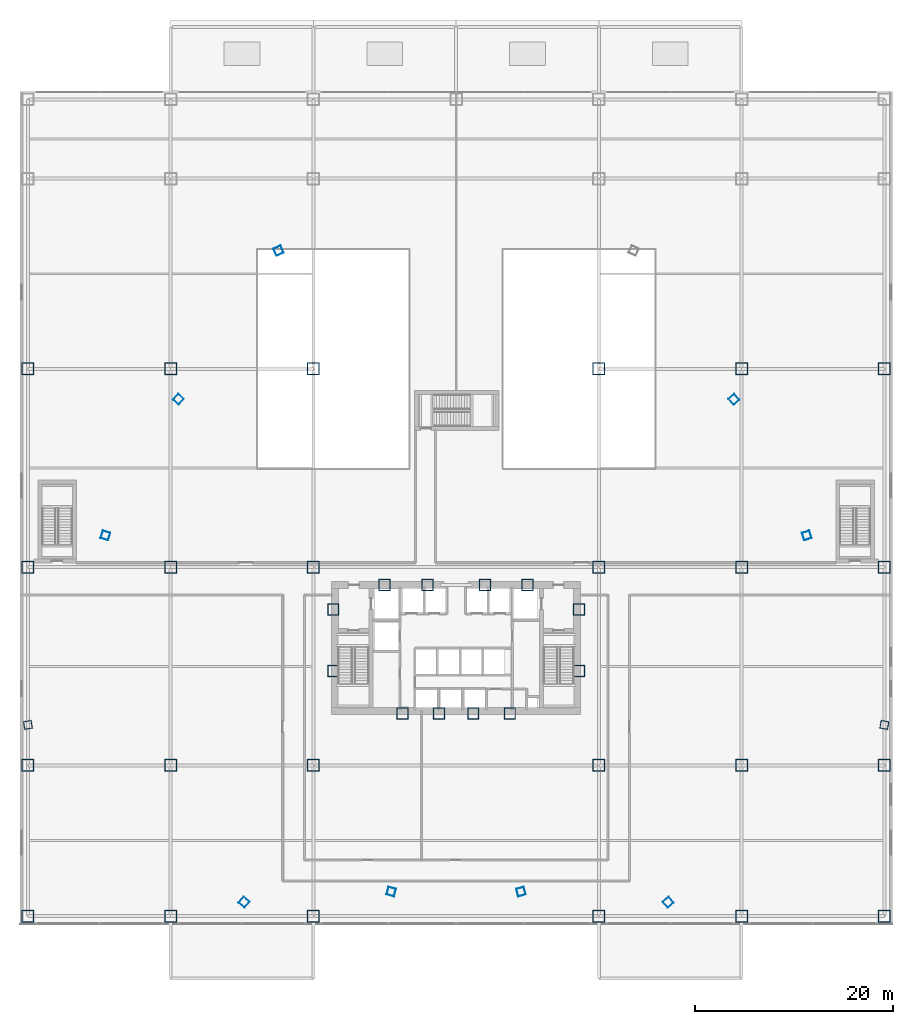
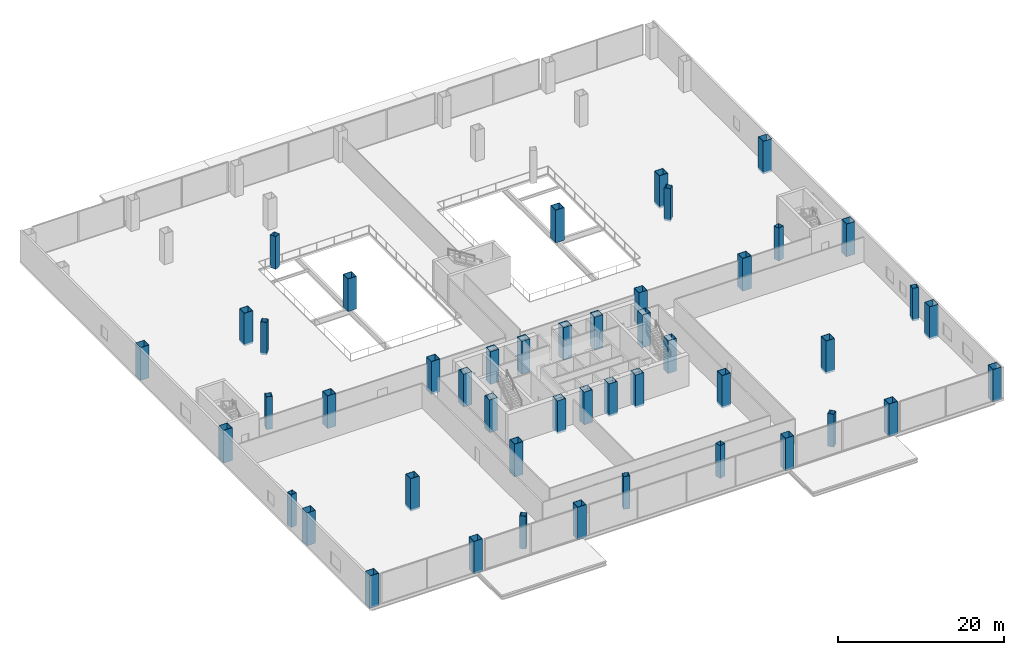
# One storey, part 1 of 42: 47 columns.
"""IFC4 building model written with IfcOpenShell, lengths in metres."""

from ifc_helpers import new_model, si_unit, direction, frame, origin, origin_2d, place, context, subcontext, project, spatial, hollow_rectangle, extrude, source, transform, mapped, material, material_profile, profile_set, type_object, element, save


model = new_model("IFC4")

# Units and contexts
model_context = context("Model", 3, precision=1e-05, world=origin(), true_north=direction((0.0, 1.0)))
body_context = subcontext(model_context, "Body", "Model", "MODEL_VIEW")
ifc_project = project(units=[si_unit("LENGTHUNIT", "METRE"), si_unit("AREAUNIT", "SQUARE_METRE"), si_unit("VOLUMEUNIT", "CUBIC_METRE"), si_unit("PLANEANGLEUNIT", "RADIAN"), si_unit("MASSUNIT", "GRAM", prefix="KILO"), si_unit("THERMODYNAMICTEMPERATUREUNIT", "KELVIN"), si_unit("POWERUNIT", "WATT")], contexts=[model_context])

# Site, building, storey
site_placement = place(None, origin())
site = spatial("IfcSite", under=ifc_project, at=site_placement, CompositionType="ELEMENT")
building_placement = place(site_placement, origin())
building = spatial("IfcBuilding", under=site, at=building_placement, Name="Yunzhuo Pagoda Commons", CompositionType="ELEMENT")
storey_placement = place(building_placement, frame((0.0, 0.0, 4.800048828125)))
storey = spatial("IfcBuildingStorey", under=building, at=storey_placement, Name="L02", CompositionType="ELEMENT", Elevation=4.800048828125)

# Columns
ifc_material = material(Name="Structural steel Q420B", Category="steel")
ifc_material_profile_1 = material_profile(ifc_material, hollow_rectangle(XDim=1.14990234375, YDim=1.14990234375, WallThickness=0.048095703125, at=origin_2d()), Name="Structural steel Q420B")
ifc_profile_set_1 = profile_set([ifc_material_profile_1], Name="Structural steel Q420B")
column_type_1 = type_object("IfcColumnType", Name="C-COR Column BOX 1150x1150x48", PredefinedType="COLUMN", material=ifc_profile_set_1)
shared_shape_1 = source(origin(), body_context, "Body", "SweptSolid", [
    extrude(hollow_rectangle(XDim=1.14990234375, YDim=1.14990234375, WallThickness=0.048095703125, at=origin_2d()), origin(), (0.0, 0.0, 1.0), 4.7998046875),
])
for number, where, z_axis, x_axis, name in (
    (1, (42.587890625, 27.25, -0.27978515625), (0.0, 0.0, 1.0), (1.0, 0.0, 0.0), "L02 core composite column F1C1"),
    (2, (46.27197265625, 27.25, -0.27978515625), (0.0, 0.0, 1.0), (1.0, 0.0, 0.0), "L02 core composite column F1C2"),
    (3, (49.728515625, 27.25, -0.27978515625), (0.0, 0.0, 1.0), (1.0, 0.0, 0.0), "L02 core composite column F1C3"),
    (4, (53.412109375, 27.25, -0.27978515625), (0.0, 0.0, 1.0), (1.0, 0.0, 0.0), "L02 core composite column F1C4"),
    (5, (60.39990234375, 31.513427734375, -0.27978515625), (0.0, 0.0, 1.0), (1.0, 0.0, 0.0), "L02 core composite column F2C1"),
    (6, (60.39990234375, 37.72900390625, -0.27978515625), (0.0, 0.0, 1.0), (1.0, 0.0, 0.0), "L02 core composite column F2C2"),
    (7, (55.218994140625, 40.199951171875, -0.27978515625), (0.0, 0.0, 1.0), (1.0, 0.0, 0.0), "L02 core composite column F2C3"),
    (8, (50.89404296875, 40.199951171875, -0.27978515625), (0.0, 0.0, 1.0), (1.0, 0.0, 0.0), "L02 core composite column F2C4"),
    (9, (45.10595703125, 40.199951171875, -0.27978515625), (0.0, 0.0, 1.0), (1.0, 0.0, 0.0), "L02 core composite column F3C1"),
    (10, (40.781005859375, 40.199951171875, -0.27978515625), (0.0, 0.0, 1.0), (1.0, 0.0, 0.0), "L02 core composite column F3C2"),
    (11, (35.60009765625, 37.72900390625, -0.27978515625), (0.0, 0.0, 1.0), (1.0, 0.0, 0.0), "L02 core composite column F3C3"),
    (12, (35.60009765625, 31.513427734375, -0.27978515625), (0.0, 0.0, 1.0), (1.0, 0.0, 0.0), "L02 core composite column F3C4"),
):
    element("IfcColumn", number, at=place(storey_placement, frame(where, z_axis=z_axis, x_axis=x_axis)), inside=storey, type_object=column_type_1, Name=name, PredefinedType="COLUMN", context=body_context, shape_type="MappedRepresentation", body=[
        mapped(shared_shape_1, transform((0.0, 0.0, 0.0), scale=1.0)),
    ])
ifc_material_profile_2 = material_profile(ifc_material, hollow_rectangle(XDim=1.199951171875, YDim=1.199951171875, WallThickness=0.050048828125, at=origin_2d()), Name="Structural steel Q420B")
ifc_profile_set_2 = profile_set([ifc_material_profile_2], Name="Structural steel Q420B")
column_type_2 = type_object("IfcColumnType", Name="C-POD Column BOX 1200x1200x50", PredefinedType="COLUMN", material=ifc_profile_set_2)
shared_shape_2 = source(origin(), body_context, "Body", "SweptSolid", [
    extrude(hollow_rectangle(XDim=1.199951171875, YDim=1.199951171875, WallThickness=0.050048828125, at=origin_2d()), origin(), (0.0, 0.0, 1.0), 4.7998046875),
])
for number, where, z_axis, x_axis, name in (
    (13, (4.800048828125, 6.800048828125, -0.27978515625), (0.0, 0.0, 1.0), (1.0, 0.0, 0.0), "L02 podium column P1_1"),
    (14, (4.800048828125, 22.0, -0.27978515625), (0.0, 0.0, 1.0), (1.0, 0.0, 0.0), "L02 podium column P1_2"),
    (15, (4.800048828125, 42.0, -0.27978515625), (0.0, 0.0, 1.0), (1.0, 0.0, 0.0), "L02 podium column P1_3"),
    (16, (4.800048828125, 62.0, -0.27978515625), (0.0, 0.0, 1.0), (1.0, 0.0, 0.0), "L02 podium column P1_4"),
    (17, (19.199951171875, 6.800048828125, -0.27978515625), (0.0, 0.0, 1.0), (1.0, 0.0, 0.0), "L02 podium column P2_1"),
    (18, (19.199951171875, 22.0, -0.27978515625), (0.0, 0.0, 1.0), (1.0, 0.0, 0.0), "L02 podium column P2_2"),
    (19, (19.199951171875, 42.0, -0.27978515625), (0.0, 0.0, 1.0), (1.0, 0.0, 0.0), "L02 podium column P2_3"),
    (20, (19.199951171875, 62.0, -0.27978515625), (0.0, 0.0, 1.0), (1.0, 0.0, 0.0), "L02 podium column P2_4"),
    (21, (33.60009765625, 6.800048828125, -0.27978515625), (0.0, 0.0, 1.0), (1.0, 0.0, 0.0), "L02 podium column P3_1"),
    (22, (33.60009765625, 22.0, -0.27978515625), (0.0, 0.0, 1.0), (1.0, 0.0, 0.0), "L02 podium column P3_2"),
    (23, (33.60009765625, 42.0, -0.27978515625), (0.0, 0.0, 1.0), (1.0, 0.0, 0.0), "L02 podium column P3_3"),
    (24, (33.60009765625, 62.0, -0.27978515625), (0.0, 0.0, 1.0), (1.0, 0.0, 0.0), "L02 podium column P3_4"),
    (25, (62.39990234375, 6.800048828125, -0.27978515625), (0.0, 0.0, 1.0), (1.0, 0.0, 0.0), "L02 podium column P4_1"),
    (26, (62.39990234375, 22.0, -0.27978515625), (0.0, 0.0, 1.0), (1.0, 0.0, 0.0), "L02 podium column P4_2"),
    (27, (62.39990234375, 42.0, -0.27978515625), (0.0, 0.0, 1.0), (1.0, 0.0, 0.0), "L02 podium column P4_3"),
    (28, (62.39990234375, 62.0, -0.27978515625), (0.0, 0.0, 1.0), (1.0, 0.0, 0.0), "L02 podium column P4_4"),
    (29, (76.800048828125, 6.800048828125, -0.27978515625), (0.0, 0.0, 1.0), (1.0, 0.0, 0.0), "L02 podium column P5_1"),
    (30, (76.800048828125, 22.0, -0.27978515625), (0.0, 0.0, 1.0), (1.0, 0.0, 0.0), "L02 podium column P5_2"),
    (31, (76.800048828125, 42.0, -0.27978515625), (0.0, 0.0, 1.0), (1.0, 0.0, 0.0), "L02 podium column P5_3"),
    (32, (76.800048828125, 62.0, -0.27978515625), (0.0, 0.0, 1.0), (1.0, 0.0, 0.0), "L02 podium column P5_4"),
    (33, (91.199951171875, 6.800048828125, -0.27978515625), (0.0, 0.0, 1.0), (1.0, 0.0, 0.0), "L02 podium column P6_1"),
    (34, (91.199951171875, 22.0, -0.27978515625), (0.0, 0.0, 1.0), (1.0, 0.0, 0.0), "L02 podium column P6_2"),
    (35, (91.199951171875, 42.0, -0.27978515625), (0.0, 0.0, 1.0), (1.0, 0.0, 0.0), "L02 podium column P6_3"),
    (36, (91.199951171875, 62.0, -0.27978515625), (0.0, 0.0, 1.0), (1.0, 0.0, 0.0), "L02 podium column P6_4"),
):
    element("IfcColumn", number, at=place(storey_placement, frame(where, z_axis=z_axis, x_axis=x_axis)), inside=storey, type_object=column_type_2, Name=name, PredefinedType="COLUMN", context=body_context, shape_type="MappedRepresentation", body=[
        mapped(shared_shape_2, transform((0.0, 0.0, 0.0), scale=1.0)),
    ])
ifc_material_profile_3 = material_profile(ifc_material, hollow_rectangle(XDim=0.800048828125, YDim=0.800048828125, WallThickness=0.031982421875, at=origin_2d()), Name="Structural steel Q420B")
ifc_profile_set_3 = profile_set([ifc_material_profile_3], Name="Structural steel Q420B")
column_type_3 = type_object("IfcColumnType", Name="C-BUT Column BOX 800x800x32", PredefinedType="COLUMN", material=ifc_profile_set_3)
shared_shape_3 = source(origin(), body_context, "Body", "SweptSolid", [
    extrude(hollow_rectangle(XDim=0.800048828125, YDim=0.800048828125, WallThickness=0.031982421875, at=origin_2d()), origin(), (0.0, 0.0, 1.0), 4.7998046875),
])
for number, where, z_axis, x_axis, name in (
    (37, (26.60302734375, 8.199951171875, -0.27978515625), (0.0, 0.0, 1.0), (0.766044443119, -0.642787609687, 0.0), "L02 podium transfer support column PR_F1C1"),
    (38, (41.45166015625, 9.260986328125, -0.27978515625), (0.0, 0.0, 1.0), (0.965925826289, -0.258819045103, 0.0), "L02 podium transfer support column PR_F1C2"),
    (39, (54.54833984375, 9.260986328125, -0.27978515625), (0.0, 0.0, 1.0), (0.965925826289, 0.258819045103, 0.0), "L02 podium transfer support column PR_F1C3"),
    (40, (69.39697265625, 8.199951171875, -0.27978515625), (0.0, 0.0, 1.0), (0.766044443119, 0.642787609687, 0.0), "L02 podium transfer support column PR_F1C4"),
    (41, (91.198974609375, 26.0830078125, -0.27978515625), (0.0, 0.0, 1.0), (0.173648177667, 0.984807753012, 0.0), "L02 podium transfer support column PR_F2C1"),
    (42, (83.37890625, 45.195556640625, -0.27978515625), (0.0, 0.0, 1.0), (-0.309016994375, 0.951056516295, 0.0), "L02 podium transfer support column PR_F2C2"),
    (43, (76.027099609375, 58.935302734375, -0.27978515625), (0.0, 0.0, 1.0), (-0.669130606359, 0.743144825477, 0.0), "L02 podium transfer support column PR_F2C3"),
    (44, (30.087890625, 73.931884765625, -0.27978515625), (0.0, 0.0, 1.0), (-0.913545457643, -0.406736643076, 0.0), "L02 podium transfer support column PR_F3C1"),
    (45, (19.973388671875, 58.935302734375, -0.27978515625), (0.0, 0.0, 1.0), (-0.669130606359, -0.743144825477, 0.0), "L02 podium transfer support column PR_F3C2"),
    (46, (12.62109375, 45.195556640625, -0.27978515625), (0.0, 0.0, 1.0), (-0.309016994375, -0.951056516295, 0.0), "L02 podium transfer support column PR_F3C3"),
    (47, (4.801025390625, 26.0830078125, -0.27978515625), (0.0, 0.0, 1.0), (0.173648177667, -0.984807753012, 0.0), "L02 podium transfer support column PR_F3C4"),
):
    element("IfcColumn", number, at=place(storey_placement, frame(where, z_axis=z_axis, x_axis=x_axis)), inside=storey, type_object=column_type_3, Name=name, PredefinedType="COLUMN", context=body_context, shape_type="MappedRepresentation", body=[
        mapped(shared_shape_3, transform((0.0, 0.0, 0.0), scale=1.0)),
    ])

save(model, "model.ifc")
